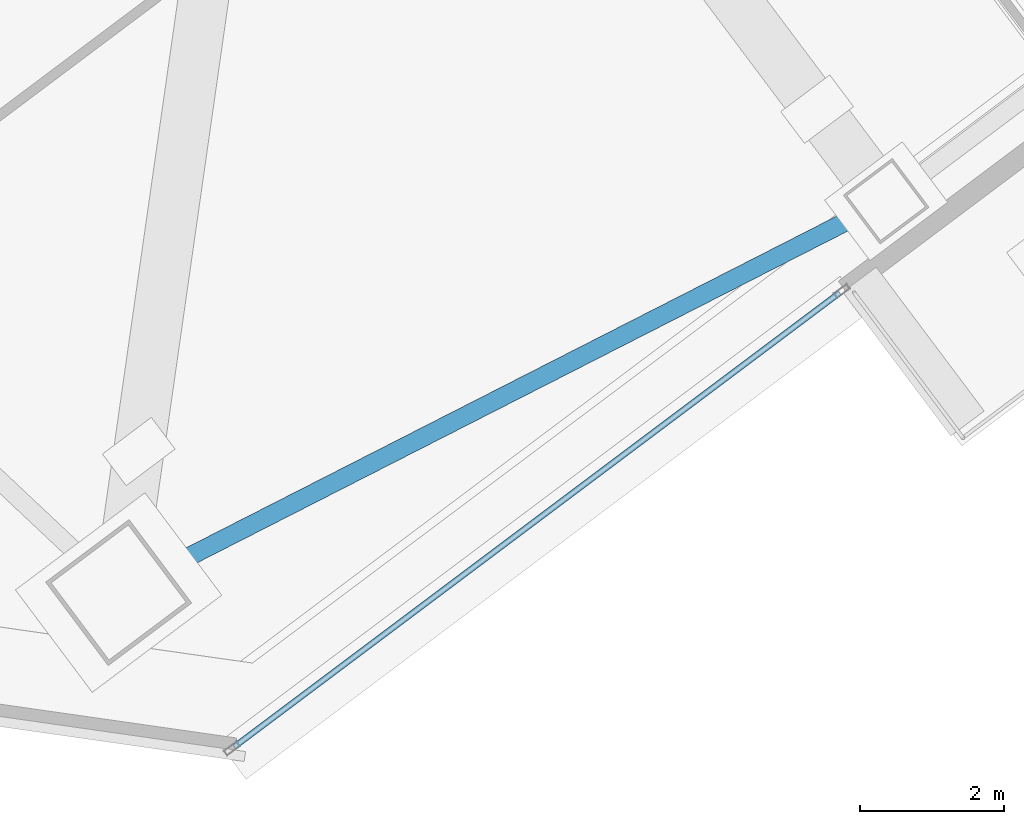
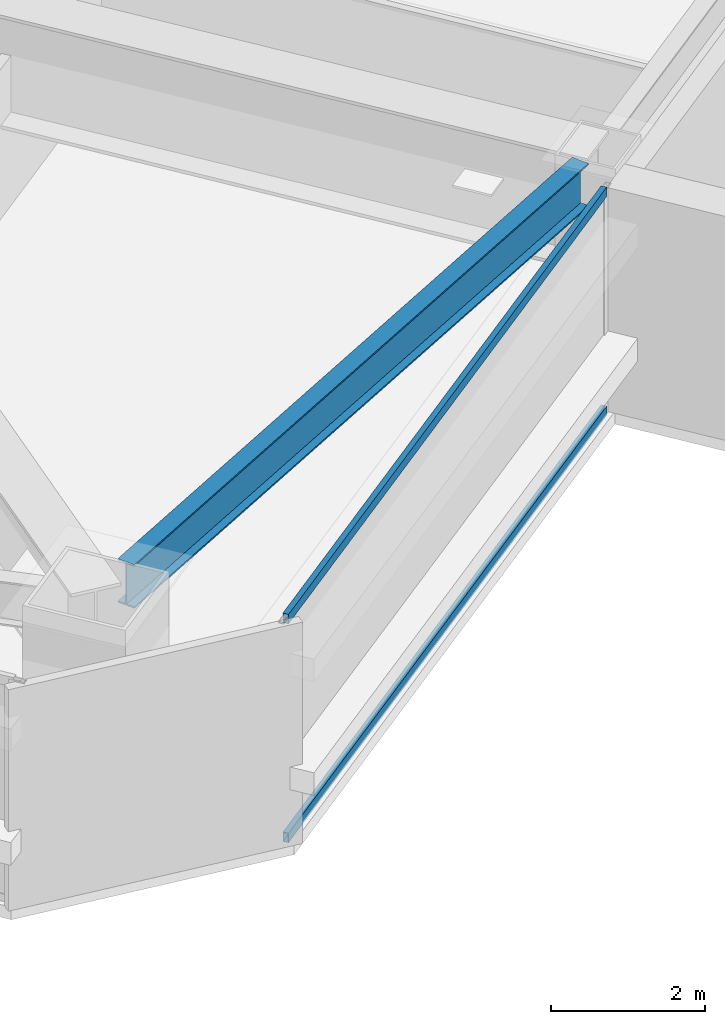
# One storey, part 19 of 49: 2 members, 1 beam, 1 element without a shape of its own.
"""IFC4 building model written with IfcOpenShell, lengths in metres."""

from ifc_helpers import new_model, si_unit, direction, frame, origin, origin_2d, place, context, subcontext, project, spatial, hollow_rectangle, i_section, extrude, material, material_profile, profile_set, type_object, element, aggregate, save


model = new_model("IFC4")

# Units and contexts
model_context = context("Model", 3, precision=1e-05, world=origin(), true_north=direction((0.0, 1.0)))
body_context = subcontext(model_context, "Body", "Model", "MODEL_VIEW")
ifc_project = project(units=[si_unit("LENGTHUNIT", "METRE"), si_unit("AREAUNIT", "SQUARE_METRE"), si_unit("VOLUMEUNIT", "CUBIC_METRE"), si_unit("PLANEANGLEUNIT", "RADIAN"), si_unit("MASSUNIT", "GRAM", prefix="KILO")], contexts=[model_context])

# Site, building, storey
site_placement = place(None, origin())
site = spatial("IfcSite", under=ifc_project, at=site_placement, CompositionType="ELEMENT")
building_placement = place(site_placement, origin())
building = spatial("IfcBuilding", under=site, at=building_placement, Name="Tashvorn Skyway Center", CompositionType="ELEMENT")
storey_placement = place(building_placement, frame((0.0, 0.0, 106.25)))
storey = spatial("IfcBuildingStorey", under=building, at=storey_placement, Name="L28", CompositionType="ELEMENT", Elevation=106.25)

# Beam
ifc_material_1 = material(Name="Steel ASTM A992 Grade 50", Category="steel")
ifc_material_profile_1 = material_profile(ifc_material_1, i_section(OverallWidth=0.256103515625, OverallDepth=0.693115234375, WebThickness=0.014404296875, FlangeThickness=0.023681640625, at=origin_2d()), Name="W27X114")
ifc_profile_set_1 = profile_set([ifc_material_profile_1], Name="Steel ASTM A992 Grade 50")
beam_type = type_object("IfcBeamType", Name="BM-SPANDREL-W27X114", PredefinedType="SPANDREL", material=ifc_profile_set_1)
beam_placement = place(storey_placement, frame((111.201416015625, 8.2470703125, 2.903564453125), z_axis=(0.890894170442, 0.454210938961, 0.0), x_axis=(-0.454210938961, 0.890894170442, 0.0)))
element("IfcBeam", 1, at=beam_placement, inside=storey, type_object=beam_type, Name="Tower 2 L28 Spandrel Beam 01", PredefinedType="SPANDREL", context=body_context, shape_type="SweptSolid", body=[
    extrude(i_section(OverallWidth=0.256103515625, OverallDepth=0.693115234375, WebThickness=0.014404296875, FlangeThickness=0.023681640625, at=origin_2d()), origin(), (0.0, 0.0, 1.0), 10.836669921875),
])

# Curtain wall, members
ifc_material_2 = material(Name="Thermally broken bronze-anodized aluminium 6063-T6", Category="aluminium")
curtain_wall_type = type_object("IfcCurtainWallType", Name="CW-CW-Z2", PredefinedType="NOTDEFINED", material=ifc_material_2)
curtain_wall_placement = place(storey_placement, origin())
curtain_wall = element("IfcCurtainWall", 2, at=curtain_wall_placement, inside=storey, type_object=curtain_wall_type, Name="Tower 2 L28 South Curtain Wall R", PredefinedType="NOTDEFINED")
ifc_material_profile_2 = material_profile(ifc_material_2, hollow_rectangle(XDim=0.080078125, YDim=0.14990234375, WallThickness=0.00439453125, at=origin_2d()), Name="ALU-TRAN-80x150")
ifc_profile_set_2 = profile_set([ifc_material_profile_2], Name="Thermally broken bronze-anodized aluminium 6063-T6")
member_type = type_object("IfcMemberType", Name="CWT-CW-Z2", PredefinedType="USERDEFINED", material=ifc_profile_set_2)
member_1_placement = place(storey_placement, frame((120.583984375, 12.087890625, 0.0400390625), z_axis=(-0.8, -0.6, 0.0), x_axis=(0.6, -0.8, 0.0)))
member_1 = element("IfcMember", 3, at=member_1_placement, type_object=member_type, Name="CW-Z2 transom 1.1", ObjectType="TRANSOM", PredefinedType="USERDEFINED", context=body_context, shape_type="SweptSolid", body=[
    extrude(hollow_rectangle(XDim=0.080078125, YDim=0.14990234375, WallThickness=0.00439453125, at=origin_2d()), origin(), (0.0, 0.0, 1.0), 10.52001953125),
])
member_2_placement = place(storey_placement, frame((120.583984375, 12.087890625, 3.510009765625), z_axis=(-0.8, -0.6, 0.0), x_axis=(0.6, -0.8, 0.0)))
member_2 = element("IfcMember", 4, at=member_2_placement, type_object=member_type, Name="CW-Z2 transom 1.2", ObjectType="TRANSOM", PredefinedType="USERDEFINED", context=body_context, shape_type="SweptSolid", body=[
    extrude(hollow_rectangle(XDim=0.080078125, YDim=0.14990234375, WallThickness=0.00439453125, at=origin_2d()), origin(), (0.0, 0.0, 1.0), 10.52001953125),
])
aggregate(curtain_wall, [member_1, member_2])

save(model, "model.ifc")
